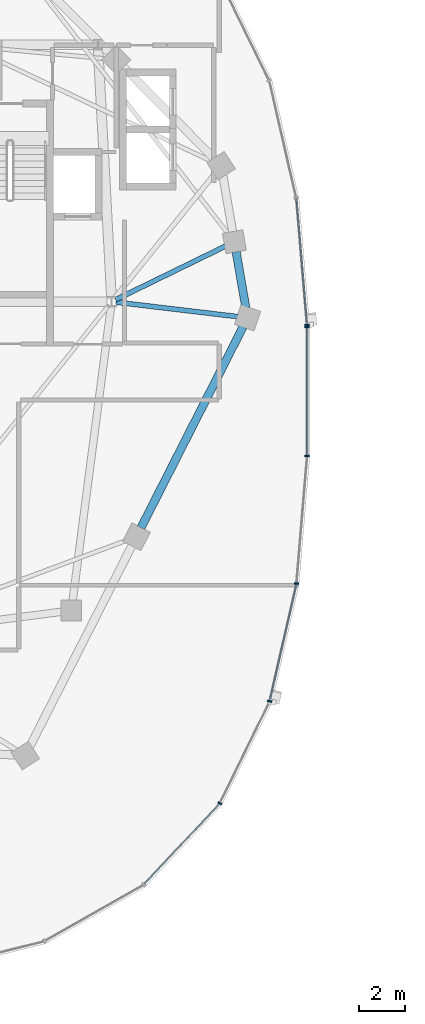
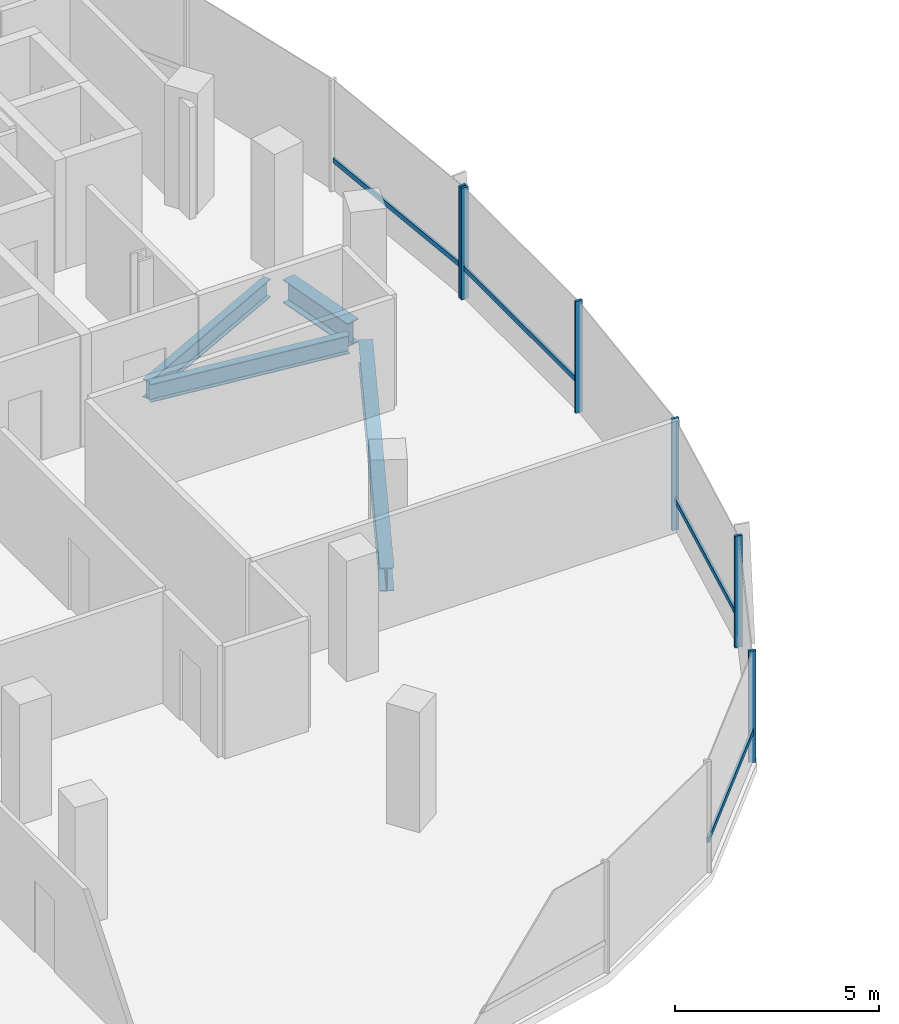
# One storey, part 5 of 25: 10 members, 4 beams, 2 elements without a shape of their own.
"""IFC4 building model written with IfcOpenShell, lengths in metres."""

from ifc_helpers import new_model, si_unit, direction, frame, origin, origin_2d, place, context, subcontext, project, spatial, rectangle, i_section, extrude, material, material_profile, profile_set, type_object, element, aggregate, save


model = new_model("IFC4")

# Units and contexts
model_context = context("Model", 3, precision=1e-05, world=origin(), true_north=direction((0.0, 1.0)))
body_context = subcontext(model_context, "Body", "Model", "MODEL_VIEW")
ifc_project = project(units=[si_unit("LENGTHUNIT", "METRE"), si_unit("AREAUNIT", "SQUARE_METRE"), si_unit("VOLUMEUNIT", "CUBIC_METRE"), si_unit("PLANEANGLEUNIT", "RADIAN"), si_unit("MASSUNIT", "GRAM", prefix="KILO"), si_unit("THERMODYNAMICTEMPERATUREUNIT", "KELVIN"), si_unit("POWERUNIT", "WATT")], contexts=[model_context])

# Site, building, storey
site_placement = place(None, origin())
site = spatial("IfcSite", under=ifc_project, at=site_placement, CompositionType="ELEMENT")
building_placement = place(site_placement, origin())
building = spatial("IfcBuilding", under=site, at=building_placement, Name="Cundina Bronze Exchange", CompositionType="ELEMENT")
storey_placement = place(building_placement, frame((0.0, 0.0, 209.800048828125)))
storey = spatial("IfcBuildingStorey", under=building, at=storey_placement, Name="L55", CompositionType="ELEMENT", Elevation=209.800048828125)

# Beams
ifc_material_1 = material(Name="Steel ASTM A992 Grade 50", Category="steel")
ifc_material_profile_1 = material_profile(ifc_material_1, i_section(OverallWidth=0.2119140625, OverallDepth=0.5439453125, WebThickness=0.01318359375, FlangeThickness=0.021240234375, FilletRadius=0.013916015625, at=origin_2d()), Name="W21X83", Category="steel")
ifc_profile_set_1 = profile_set([ifc_material_profile_1], Name="Steel ASTM A992 Grade 50")
beam_type_1 = type_object("IfcBeamType", Name="BM-FLR-W21A", PredefinedType="BEAM", material=ifc_profile_set_1)
beam_1_placement = place(storey_placement, frame((-21.25537109375, 3.876953125, -0.531982421875), z_axis=(0.993036786722, -0.117804669761, 0.0), x_axis=(0.117804669761, 0.993036786722, 0.0)))
element("IfcBeam", 1, at=beam_1_placement, inside=storey, type_object=beam_type_1, Name="L55 Leg W Radial Floor Beam 00", PredefinedType="BEAM", context=body_context, shape_type="SweptSolid", body=[
    extrude(i_section(OverallWidth=0.2119140625, OverallDepth=0.5439453125, WebThickness=0.01318359375, FlangeThickness=0.021240234375, FilletRadius=0.013916015625, at=origin_2d()), origin(), (0.0, 0.0, 1.0), 5.307373046875),
])
beam_2_placement = place(storey_placement, frame((-21.27392578125, 3.986083984375, -0.531982421875), z_axis=(0.898613202677, 0.438741737214, 0.0), x_axis=(-0.438741737214, 0.898613202677, 0.0)))
element("IfcBeam", 2, at=beam_2_placement, inside=storey, type_object=beam_type_1, Name="L55 Leg W Radial Floor Beam 01", PredefinedType="BEAM", context=body_context, shape_type="SweptSolid", body=[
    extrude(i_section(OverallWidth=0.2119140625, OverallDepth=0.5439453125, WebThickness=0.01318359375, FlangeThickness=0.021240234375, FilletRadius=0.013916015625, at=origin_2d()), origin(), (0.0, 0.0, 1.0), 5.2919921875),
])
ifc_material_profile_2 = material_profile(ifc_material_1, i_section(OverallWidth=0.35498046875, OverallDepth=0.695068359375, WebThickness=0.015380859375, FlangeThickness=0.02490234375, FilletRadius=0.01806640625, at=origin_2d()), Name="W27X146", Category="steel")
ifc_profile_set_2 = profile_set([ifc_material_profile_2], Name="Steel ASTM A992 Grade 50")
beam_type_2 = type_object("IfcBeamType", Name="BM-RING-W27", PredefinedType="USERDEFINED", material=ifc_profile_set_2)
beam_3_placement = place(storey_placement, frame((-15.625244140625, 3.631591796875, -0.607666015625), z_axis=(-0.171628556628, 0.985161732179, 0.0), x_axis=(-0.985161732179, -0.171628556628, 0.0)))
element("IfcBeam", 3, at=beam_3_placement, inside=storey, type_object=beam_type_2, Name="L55 W Perimeter Ring Girder 00", ObjectType="GIRDER", PredefinedType="USERDEFINED", context=body_context, shape_type="SweptSolid", body=[
    extrude(i_section(OverallWidth=0.35498046875, OverallDepth=0.695068359375, WebThickness=0.015380859375, FlangeThickness=0.02490234375, FilletRadius=0.01806640625, at=origin_2d()), origin(), (0.0, 0.0, 1.0), 2.4736328125),
])
beam_4_placement = place(storey_placement, frame((-20.1767578125, -5.909423828125, -0.607666015625), z_axis=(0.452846871434, 0.891588308039, 0.0), x_axis=(-0.891588308039, 0.452846871434, 0.0)))
element("IfcBeam", 4, at=beam_4_placement, inside=storey, type_object=beam_type_2, Name="L55 W Perimeter Ring Girder 13", ObjectType="GIRDER", PredefinedType="USERDEFINED", context=body_context, shape_type="SweptSolid", body=[
    extrude(i_section(OverallWidth=0.35498046875, OverallDepth=0.695068359375, WebThickness=0.015380859375, FlangeThickness=0.02490234375, FilletRadius=0.01806640625, at=origin_2d()), origin(), (0.0, 0.0, 1.0), 9.779052734375),
])

# Curtain wall, member
ifc_material_2 = material(Name="Anodised Bronze Aluminium 6063-T6", Category="aluminium")
curtain_wall_type = type_object("IfcCurtainWallType", Name="CWS-UPP-OFF", PredefinedType="NOTDEFINED", material=ifc_material_2)
curtain_wall_1_placement = place(storey_placement, origin())
curtain_wall_1 = element("IfcCurtainWall", 5, at=curtain_wall_1_placement, inside=storey, type_object=curtain_wall_type, Name="L55 CW-05 Curtain Wall Run CWR-L55-W1", PredefinedType="NOTDEFINED")
ifc_material_profile_3 = material_profile(ifc_material_2, rectangle(XDim=0.070068359375, YDim=0.18994140625, at=origin_2d()), Name="AL70X190", Category="aluminium")
ifc_profile_set_3 = profile_set([ifc_material_profile_3], Name="Anodised Bronze Aluminium 6063-T6")
member_type_1 = type_object("IfcMemberType", Name="CWM-MUL-190", PredefinedType="MULLION", material=ifc_profile_set_3)
member_1_placement = place(storey_placement, frame((-12.9697265625, 2.88330078125, 0.0), z_axis=(0.0, 0.0, 1.0), x_axis=(-0.083677843332, 0.99649285925, 0.0)))
member_1 = element("IfcMember", 6, at=member_1_placement, type_object=member_type_1, Name="CW-05 Mullion 1", PredefinedType="MULLION", context=body_context, shape_type="SweptSolid", body=[
    extrude(rectangle(XDim=0.070068359375, YDim=0.18994140625, at=origin_2d()), origin(), (0.0, 0.0, 1.0), 3.33984375),
])

# Curtain wall, members
curtain_wall_2_placement = place(storey_placement, origin())
curtain_wall_2 = element("IfcCurtainWall", 7, at=curtain_wall_2_placement, inside=storey, type_object=curtain_wall_type, Name="L55 CW-05 Curtain Wall Run CWR-L55-W4", PredefinedType="NOTDEFINED")
member_2_placement = place(storey_placement, frame((-16.754638671875, -17.866455078125, 0.0), z_axis=(0.0, 0.0, 1.0), x_axis=(0.440566004113, 0.897720221461, 0.0)))
member_2 = element("IfcMember", 8, at=member_2_placement, type_object=member_type_1, Name="CW-05 Mullion 4", PredefinedType="MULLION", context=body_context, shape_type="SweptSolid", body=[
    extrude(rectangle(XDim=0.070068359375, YDim=0.18994140625, at=origin_2d()), origin(), (0.0, 0.0, 1.0), 3.33984375),
])
member_3_placement = place(storey_placement, frame((-14.59228515625, -13.440673828125, 0.0), z_axis=(0.0, 0.0, 1.0), x_axis=(0.223250116011, 0.974761194191, 0.0)))
member_3 = element("IfcMember", 9, at=member_3_placement, type_object=member_type_1, Name="CW-05 Mullion 5", PredefinedType="MULLION", context=body_context, shape_type="SweptSolid", body=[
    extrude(rectangle(XDim=0.070068359375, YDim=0.18994140625, at=origin_2d()), origin(), (0.0, 0.0, 1.0), 3.33984375),
])
member_4_placement = place(storey_placement, frame((-13.427490234375, -8.33056640625, 0.0), z_axis=(0.0, 0.0, 1.0), x_axis=(0.083677843332, 0.99649285925, 0.0)))
member_4 = element("IfcMember", 10, at=member_4_placement, type_object=member_type_1, Name="CW-05 Mullion 6", PredefinedType="MULLION", context=body_context, shape_type="SweptSolid", body=[
    extrude(rectangle(XDim=0.070068359375, YDim=0.18994140625, at=origin_2d()), origin(), (0.0, 0.0, 1.0), 3.33984375),
])
member_5_placement = place(storey_placement, frame((-12.966064453125, -2.794921875, 0.0), z_axis=(0.0, 0.0, 1.0), x_axis=(0.0, 1.0, 0.0)))
member_5 = element("IfcMember", 11, at=member_5_placement, type_object=member_type_1, Name="CW-05 Mullion 7", PredefinedType="MULLION", context=body_context, shape_type="SweptSolid", body=[
    extrude(rectangle(XDim=0.070068359375, YDim=0.18994140625, at=origin_2d()), origin(), (0.0, 0.0, 1.0), 3.33984375),
])
member_6_placement = place(storey_placement, frame((-12.966064453125, 2.794921875, 0.0), z_axis=(0.0, 0.0, 1.0), x_axis=(0.0, 1.0, 0.0)))
member_6 = element("IfcMember", 12, at=member_6_placement, type_object=member_type_1, Name="CW-05 End Mullion", PredefinedType="MULLION", context=body_context, shape_type="SweptSolid", body=[
    extrude(rectangle(XDim=0.070068359375, YDim=0.18994140625, at=origin_2d()), origin(), (0.0, 0.0, 1.0), 3.33984375),
])

# Member
ifc_material_profile_4 = material_profile(ifc_material_2, rectangle(XDim=0.06494140625, YDim=0.14990234375, at=origin_2d()), Name="AL65X150", Category="aluminium")
ifc_profile_set_4 = profile_set([ifc_material_profile_4], Name="Anodised Bronze Aluminium 6063-T6")
member_type_2 = type_object("IfcMemberType", Name="CWM-TRN-150", PredefinedType="USERDEFINED", material=ifc_profile_set_4)
member_7_placement = place(storey_placement, frame((-12.972900390625, 2.921630859375, 0.919921875), z_axis=(-0.083740331158, 0.996487610027, 0.0), x_axis=(-0.996487610027, -0.083740331158, 0.0)))
member_7 = element("IfcMember", 13, at=member_7_placement, type_object=member_type_2, Name="CW-05 Spandrel Transom 1", ObjectType="TRANSOM", PredefinedType="USERDEFINED", context=body_context, shape_type="SweptSolid", body=[
    extrude(rectangle(XDim=0.06494140625, YDim=0.14990234375, at=origin_2d()), origin(), (0.0, 0.0, 1.0), 5.466552734375),
])

aggregate(curtain_wall_1, [member_1, member_7])

member_8_placement = place(storey_placement, frame((-20.02490234375, -21.364501953125, 0.919921875), z_axis=(0.684336416554, 0.729166420633, 0.0), x_axis=(-0.729166420633, 0.684336416554, 0.0)))
member_8 = element("IfcMember", 14, at=member_8_placement, type_object=member_type_2, Name="CW-05 Spandrel Transom 3", ObjectType="TRANSOM", PredefinedType="USERDEFINED", context=body_context, shape_type="SweptSolid", body=[
    extrude(rectangle(XDim=0.06494140625, YDim=0.14990234375, at=origin_2d()), origin(), (0.0, 0.0, 1.0), 4.76513671875),
])

member_9_placement = place(storey_placement, frame((-14.58349609375, -13.403076171875, 0.919921875), z_axis=(0.22328343579, 0.974753562344, 0.0), x_axis=(-0.974753562344, 0.22328343579, 0.0)))
member_9 = element("IfcMember", 15, at=member_9_placement, type_object=member_type_2, Name="CW-05 Spandrel Transom 5", ObjectType="TRANSOM", PredefinedType="USERDEFINED", context=body_context, shape_type="SweptSolid", body=[
    extrude(rectangle(XDim=0.06494140625, YDim=0.14990234375, at=origin_2d()), origin(), (0.0, 0.0, 1.0), 5.159912109375),
])

member_10_placement = place(storey_placement, frame((-12.966064453125, -2.756591796875, 0.919921875), z_axis=(0.0, 1.0, 0.0), x_axis=(-1.0, 0.0, 0.0)))
member_10 = element("IfcMember", 16, at=member_10_placement, type_object=member_type_2, Name="CW-05 Spandrel Transom 7", ObjectType="TRANSOM", PredefinedType="USERDEFINED", context=body_context, shape_type="SweptSolid", body=[
    extrude(rectangle(XDim=0.06494140625, YDim=0.14990234375, at=origin_2d()), origin(), (0.0, 0.0, 1.0), 5.51318359375),
])

aggregate(curtain_wall_2, [member_8, member_2, member_3, member_9, member_4, member_5, member_6, member_10])

save(model, "model.ifc")
